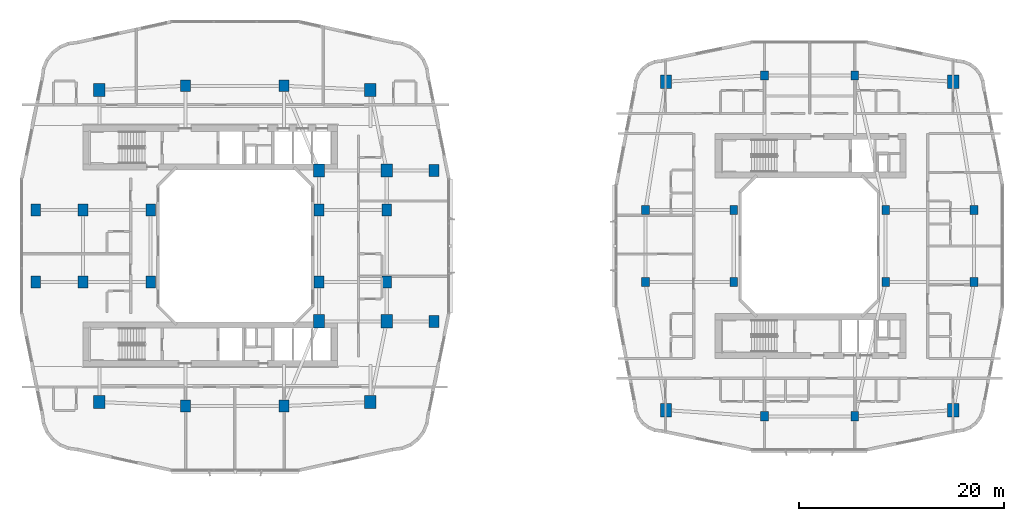
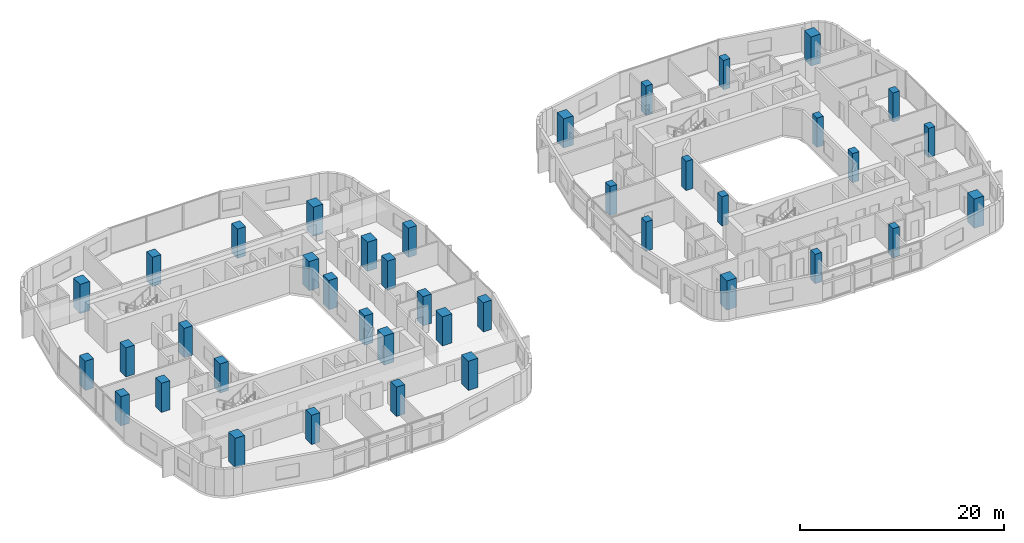
# One storey, part 1 of 26: 40 columns.
"""IFC4 building model written with IfcOpenShell, lengths in metres."""

from ifc_helpers import new_model, si_unit, derived_unit, direction, frame, origin, origin_2d, place, context, subcontext, project, spatial, rectangle, extrude, material, material_profile, profile_set, type_object, element, save


model = new_model("IFC4")

# Units and contexts
model_context = context("Model", 3, precision=1e-05, world=origin(), true_north=direction((0.0, 1.0)))
body_context = subcontext(model_context, "Body", "Model", "MODEL_VIEW")
ifc_project = project(units=[si_unit("LENGTHUNIT", "METRE"), si_unit("AREAUNIT", "SQUARE_METRE"), si_unit("VOLUMEUNIT", "CUBIC_METRE"), si_unit("PLANEANGLEUNIT", "RADIAN"), si_unit("MASSUNIT", "GRAM", prefix="KILO"), derived_unit("THERMALTRANSMITTANCEUNIT", [(si_unit("POWERUNIT", "WATT"), 1), (si_unit("LENGTHUNIT", "METRE"), -2), (si_unit("THERMODYNAMICTEMPERATUREUNIT", "KELVIN"), -1)])], contexts=[model_context])

# Site, building, storey
site_placement = place(None, origin())
site = spatial("IfcSite", under=ifc_project, at=site_placement, CompositionType="ELEMENT")
building_placement = place(site_placement, origin())
building = spatial("IfcBuilding", under=site, at=building_placement, Name="Kivonza Crest Hotel", CompositionType="ELEMENT")
storey_placement = place(building_placement, frame((0.0, 0.0, 55.5)))
storey = spatial("IfcBuildingStorey", under=building, at=storey_placement, Name="L14", CompositionType="ELEMENT", Elevation=55.5)

# Columns
ifc_material_1 = material(Name="Concrete C60/75", Category="concrete")
ifc_material_profile_1 = material_profile(ifc_material_1, rectangle(XDim=0.949951171875, YDim=1.14990234375, at=origin_2d()), Name="RC 1150x950")
ifc_profile_set_1 = profile_set([ifc_material_profile_1], Name="Concrete C60/75")
column_type_1 = type_object("IfcColumnType", Name="CL-RC-1150x950", PredefinedType="COLUMN", material=ifc_profile_set_1)
for number, where, z_axis, x_axis, name in (
    (1, (16.199951171875, 9.39990234375, 0.0), (0.0, 0.0, 1.0), (1.0, 0.0, 0.0), "Tower T1 L14 column S1"),
    (2, (25.800048828125, 9.39990234375, 0.0), (0.0, 0.0, 1.0), (1.0, 0.0, 0.0), "Tower T1 L14 column S2"),
    (3, (16.199951171875, 40.60009765625, 0.0), (0.0, 0.0, 1.0), (1.0, 0.0, 0.0), "Tower T1 L14 column N1"),
    (4, (25.800048828125, 40.60009765625, 0.0), (0.0, 0.0, 1.0), (1.0, 0.0, 0.0), "Tower T1 L14 column N2"),
    (5, (6.199951171875, 21.5, 0.0), (0.0, 0.0, 1.0), (1.0, 0.0, 0.0), "Tower T1 L14 column W1"),
    (6, (6.199951171875, 28.5, 0.0), (0.0, 0.0, 1.0), (1.0, 0.0, 0.0), "Tower T1 L14 column W2"),
    (7, (35.800048828125, 21.5, 0.0), (0.0, 0.0, 1.0), (1.0, 0.0, 0.0), "Tower T1 L14 column E1"),
    (8, (35.800048828125, 28.5, 0.0), (0.0, 0.0, 1.0), (1.0, 0.0, 0.0), "Tower T1 L14 column E2"),
    (9, (12.800048828125, 21.5, 0.0), (0.0, 0.0, 1.0), (1.0, 0.0, 0.0), "Tower T1 L14 column WL1"),
    (10, (12.800048828125, 28.5, 0.0), (0.0, 0.0, 1.0), (1.0, 0.0, 0.0), "Tower T1 L14 column WL2"),
    (11, (29.199951171875, 21.5, 0.0), (0.0, 0.0, 1.0), (1.0, 0.0, 0.0), "Tower T1 L14 column WR1"),
    (12, (29.199951171875, 28.5, 0.0), (0.0, 0.0, 1.0), (1.0, 0.0, 0.0), "Tower T1 L14 column WR2"),
    (13, (1.60009765625, 21.5, 0.0), (0.0, 0.0, 1.0), (1.0, 0.0, 0.0), "Tower T1 L14 column Z1W1"),
    (14, (1.60009765625, 28.5, 0.0), (0.0, 0.0, 1.0), (1.0, 0.0, 0.0), "Tower T1 L14 column Z1W2"),
    (15, (40.39990234375, 17.64990234375, 0.0), (0.0, 0.0, 1.0), (1.0, 0.0, 0.0), "Tower T1 L14 column Z1E1"),
    (16, (40.39990234375, 32.35009765625, 0.0), (0.0, 0.0, 1.0), (1.0, 0.0, 0.0), "Tower T1 L14 column Z1E2"),
):
    element("IfcColumn", number, at=place(storey_placement, frame(where, z_axis=z_axis, x_axis=x_axis)), inside=storey, type_object=column_type_1, Name=name, PredefinedType="COLUMN", context=body_context, shape_type="SweptSolid", body=[
        extrude(rectangle(XDim=0.949951171875, YDim=1.14990234375, at=origin_2d()), origin(), (0.0, 0.0, 1.0), 3.5),
    ])
ifc_material_profile_2 = material_profile(ifc_material_1, rectangle(XDim=1.10009765625, YDim=1.300048828125, at=origin_2d()), Name="RC 1300x1100")
ifc_profile_set_2 = profile_set([ifc_material_profile_2], Name="Concrete C60/75")
column_type_2 = type_object("IfcColumnType", Name="CL-RC-1300x1100", PredefinedType="COLUMN", material=ifc_profile_set_2)
for number, where, z_axis, x_axis, name in (
    (17, (7.800048828125, 9.800048828125, 0.0), (0.0, 0.0, 1.0), (1.0, 0.0, 0.0), "Tower T1 L14 column SW"),
    (18, (34.199951171875, 9.800048828125, 0.0), (0.0, 0.0, 1.0), (1.0, 0.0, 0.0), "Tower T1 L14 column SE"),
    (19, (34.199951171875, 40.199951171875, 0.0), (0.0, 0.0, 1.0), (1.0, 0.0, 0.0), "Tower T1 L14 column NE"),
    (20, (7.800048828125, 40.199951171875, 0.0), (0.0, 0.0, 1.0), (1.0, 0.0, 0.0), "Tower T1 L14 column NW"),
    (21, (35.800048828125, 17.64990234375, 0.0), (0.0, 0.0, 1.0), (1.0, 0.0, 0.0), "Tower T1 L14 column PSE"),
    (22, (35.800048828125, 32.35009765625, 0.0), (0.0, 0.0, 1.0), (1.0, 0.0, 0.0), "Tower T1 L14 column PNE"),
    (23, (29.199951171875, 17.64990234375, 0.0), (0.0, 0.0, 1.0), (1.0, 0.0, 0.0), "Tower T1 L14 column TSE"),
    (24, (29.199951171875, 32.35009765625, 0.0), (0.0, 0.0, 1.0), (1.0, 0.0, 0.0), "Tower T1 L14 column TNE"),
    (25, (63.0, 9.0, 0.0), (0.0, 0.0, 1.0), (1.0, 0.0, 0.0), "Companion Tower T2 L14 column SW"),
    (26, (91.0, 9.0, 0.0), (0.0, 0.0, 1.0), (1.0, 0.0, 0.0), "Companion Tower T2 L14 column SE"),
    (27, (91.0, 41.0, 0.0), (0.0, 0.0, 1.0), (1.0, 0.0, 0.0), "Companion Tower T2 L14 column NE"),
    (28, (63.0, 41.0, 0.0), (0.0, 0.0, 1.0), (1.0, 0.0, 0.0), "Companion Tower T2 L14 column NW"),
):
    element("IfcColumn", number, at=place(storey_placement, frame(where, z_axis=z_axis, x_axis=x_axis)), inside=storey, type_object=column_type_2, Name=name, PredefinedType="COLUMN", context=body_context, shape_type="SweptSolid", body=[
        extrude(rectangle(XDim=1.10009765625, YDim=1.300048828125, at=origin_2d()), origin(), (0.0, 0.0, 1.0), 3.5),
    ])
ifc_material_2 = material(Name="Concrete C50/60", Category="concrete")
ifc_material_profile_3 = material_profile(ifc_material_2, rectangle(XDim=0.75, YDim=0.89990234375, at=origin_2d()), Name="RC 900x750")
ifc_profile_set_3 = profile_set([ifc_material_profile_3], Name="Concrete C50/60")
column_type_3 = type_object("IfcColumnType", Name="CL-RC-900x750", PredefinedType="COLUMN", material=ifc_profile_set_3)
for number, where, z_axis, x_axis, name in (
    (29, (72.60009765625, 8.39990234375, 0.0), (0.0, 0.0, 1.0), (1.0, 0.0, 0.0), "Companion Tower T2 L14 column S1"),
    (30, (81.39990234375, 8.39990234375, 0.0), (0.0, 0.0, 1.0), (1.0, 0.0, 0.0), "Companion Tower T2 L14 column S2"),
    (31, (72.60009765625, 41.60009765625, 0.0), (0.0, 0.0, 1.0), (1.0, 0.0, 0.0), "Companion Tower T2 L14 column N1"),
    (32, (81.39990234375, 41.60009765625, 0.0), (0.0, 0.0, 1.0), (1.0, 0.0, 0.0), "Companion Tower T2 L14 column N2"),
    (33, (61.0, 21.5, 0.0), (0.0, 0.0, 1.0), (1.0, 0.0, 0.0), "Companion Tower T2 L14 column W1"),
    (34, (61.0, 28.5, 0.0), (0.0, 0.0, 1.0), (1.0, 0.0, 0.0), "Companion Tower T2 L14 column W2"),
    (35, (93.0, 21.5, 0.0), (0.0, 0.0, 1.0), (1.0, 0.0, 0.0), "Companion Tower T2 L14 column E1"),
    (36, (93.0, 28.5, 0.0), (0.0, 0.0, 1.0), (1.0, 0.0, 0.0), "Companion Tower T2 L14 column E2"),
    (37, (69.60009765625, 21.5, 0.0), (0.0, 0.0, 1.0), (1.0, 0.0, 0.0), "Companion Tower T2 L14 column WL1"),
    (38, (69.60009765625, 28.5, 0.0), (0.0, 0.0, 1.0), (1.0, 0.0, 0.0), "Companion Tower T2 L14 column WL2"),
    (39, (84.39990234375, 21.5, 0.0), (0.0, 0.0, 1.0), (1.0, 0.0, 0.0), "Companion Tower T2 L14 column WR1"),
    (40, (84.39990234375, 28.5, 0.0), (0.0, 0.0, 1.0), (1.0, 0.0, 0.0), "Companion Tower T2 L14 column WR2"),
):
    element("IfcColumn", number, at=place(storey_placement, frame(where, z_axis=z_axis, x_axis=x_axis)), inside=storey, type_object=column_type_3, Name=name, PredefinedType="COLUMN", context=body_context, shape_type="SweptSolid", body=[
        extrude(rectangle(XDim=0.75, YDim=0.89990234375, at=origin_2d()), origin(), (0.0, 0.0, 1.0), 3.5),
    ])

save(model, "model.ifc")
